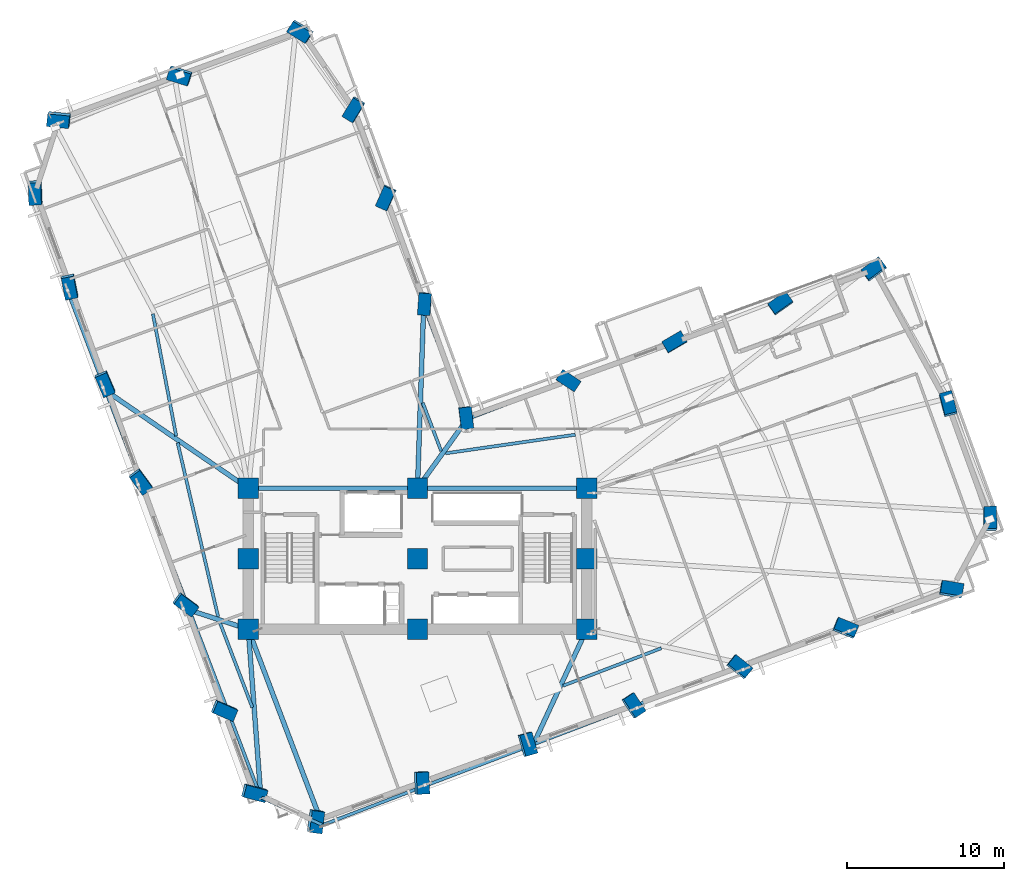
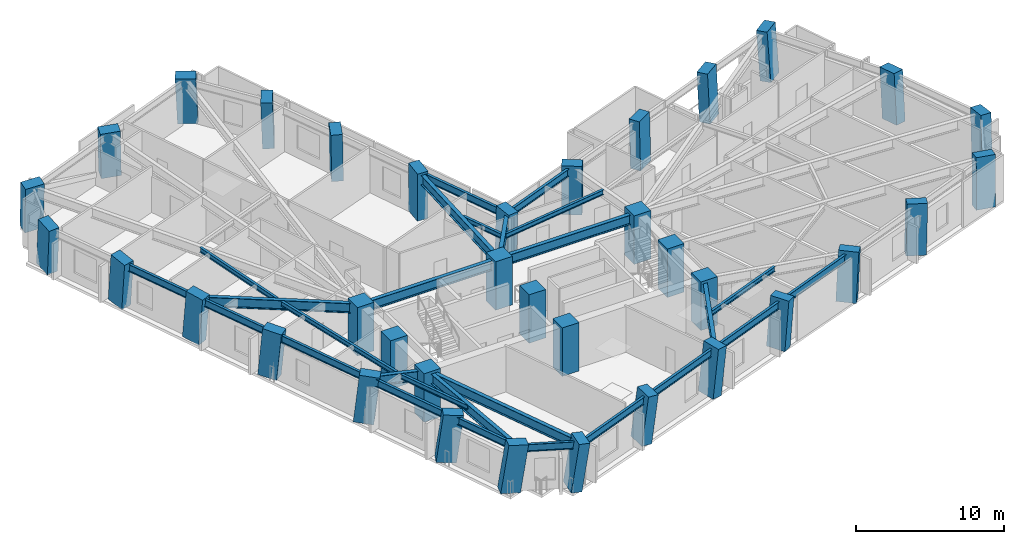
# One storey, part 1 of 17: 36 columns, 27 beams.
"""IFC4 building model written with IfcOpenShell, lengths in metres."""

from ifc_helpers import new_model, si_unit, direction, frame, origin, origin_2d, place, context, subcontext, project, spatial, rectangle, i_section, extrude, material, material_profile, profile_set, type_object, element, save


model = new_model("IFC4")

# Units and contexts
model_context = context("Model", 3, precision=1e-05, world=origin(), true_north=direction((0.0, 1.0)))
body_context = subcontext(model_context, "Body", "Model", "MODEL_VIEW")
ifc_project = project(units=[si_unit("LENGTHUNIT", "METRE"), si_unit("AREAUNIT", "SQUARE_METRE"), si_unit("VOLUMEUNIT", "CUBIC_METRE"), si_unit("PLANEANGLEUNIT", "RADIAN"), si_unit("MASSUNIT", "GRAM", prefix="KILO")], contexts=[model_context])

# Site, building, storey
site_placement = place(None, origin())
site = spatial("IfcSite", under=ifc_project, at=site_placement, CompositionType="ELEMENT")
building_placement = place(site_placement, origin())
building = spatial("IfcBuilding", under=site, at=building_placement, Name="Gaonmaruhae Medical Tower", CompositionType="ELEMENT")
storey_placement = place(building_placement, frame((0.0, 0.0, 108.39990234375)))
storey = spatial("IfcBuildingStorey", under=building, at=storey_placement, Name="L25", CompositionType="ELEMENT", Elevation=108.39990234375)

# Columns
ifc_material_1 = material(Name="Concrete C60/75", Category="concrete")
ifc_material_profile_1 = material_profile(ifc_material_1, rectangle(XDim=1.300048828125, YDim=1.300048828125, at=origin_2d()), Name="RC-1300x1300")
ifc_profile_set_1 = profile_set([ifc_material_profile_1], Name="Concrete C60/75")
column_type_1 = type_object("IfcColumnType", Name="CC-03 Zone 2 Core Column (RC-1300x1300)", PredefinedType="COLUMN", material=ifc_profile_set_1)
for number, where, z_axis, x_axis, name in (
    (1, (14.0, 7.800048828125, 0.0), (0.0, 0.0, 1.0), (1.0, 0.0, 0.0), "L25 Plumb Core Column CC11"),
    (2, (14.0, 12.300048828125, 0.0), (0.0, 0.0, 1.0), (1.0, 0.0, 0.0), "L25 Plumb Core Column CC12"),
    (3, (14.0, 16.800048828125, 0.0), (0.0, 0.0, 1.0), (1.0, 0.0, 0.0), "L25 Plumb Core Column CC13"),
    (4, (24.800048828125, 7.800048828125, 0.0), (0.0, 0.0, 1.0), (1.0, 0.0, 0.0), "L25 Plumb Core Column CC21"),
    (5, (24.800048828125, 12.300048828125, 0.0), (0.0, 0.0, 1.0), (1.0, 0.0, 0.0), "L25 Plumb Core Column CC22"),
    (6, (24.800048828125, 16.800048828125, 0.0), (0.0, 0.0, 1.0), (1.0, 0.0, 0.0), "L25 Plumb Core Column CC23"),
    (7, (35.60009765625, 7.800048828125, 0.0), (0.0, 0.0, 1.0), (1.0, 0.0, 0.0), "L25 Plumb Core Column CC31"),
    (8, (35.60009765625, 12.300048828125, 0.0), (0.0, 0.0, 1.0), (1.0, 0.0, 0.0), "L25 Plumb Core Column CC32"),
    (9, (35.60009765625, 16.800048828125, 0.0), (0.0, 0.0, 1.0), (1.0, 0.0, 0.0), "L25 Plumb Core Column CC33"),
):
    element("IfcColumn", number, at=place(storey_placement, frame(where, z_axis=z_axis, x_axis=x_axis)), inside=storey, type_object=column_type_1, Name=name, PredefinedType="COLUMN", context=body_context, shape_type="SweptSolid", body=[
        extrude(rectangle(XDim=1.300048828125, YDim=1.300048828125, at=origin_2d()), origin(), (0.0, 0.0, 1.0), 4.0),
    ])
ifc_material_profile_2 = material_profile(ifc_material_1, rectangle(XDim=1.39990234375, YDim=0.800048828125, at=origin_2d()), Name="RC-1400x800")
ifc_profile_set_2 = profile_set([ifc_material_profile_2], Name="Concrete C60/75")
column_type_2 = type_object("IfcColumnType", Name="TC-02 Mid Raking Tube Pier Column (RC-1400x800)", PredefinedType="COLUMN", material=ifc_profile_set_2)
column_1_placement = place(storey_placement, frame((18.256103515625, -4.440185546875, 0.001953125), z_axis=(0.120629174712, -0.062039590607, 0.990757130383), x_axis=(0.129293662985, 0.990525634289, 0.046283004754)))
element("IfcColumn", 10, at=column_1_placement, inside=storey, type_object=column_type_2, Name="L25 Perimeter Tube Column S01", PredefinedType="COLUMN", context=body_context, shape_type="SweptSolid", body=[
    extrude(rectangle(XDim=1.39990234375, YDim=0.800048828125, at=origin_2d()), origin(), (0.0, 0.0, 1.0), 4.03369140625),
])
column_2_placement = place(storey_placement, frame((25.024169921875, -1.9833984375, 0.001953125), z_axis=(0.110559283568, -0.034405660693, 0.993273826963), x_axis=(-0.04428823317, 0.998237312372, 0.039507222002)))
element("IfcColumn", 11, at=column_2_placement, inside=storey, type_object=column_type_2, Name="L25 Perimeter Tube Column S02", PredefinedType="COLUMN", context=body_context, shape_type="SweptSolid", body=[
    extrude(rectangle(XDim=1.39990234375, YDim=0.800048828125, at=origin_2d()), origin(), (0.0, 0.0, 1.0), 4.0234375),
])
column_3_placement = place(storey_placement, frame((31.7919921875, 0.47314453125, 0.001953125), z_axis=(0.100410199707, -0.006625128189, 0.994924067189), x_axis=(-0.276844928349, 0.960301010677, 0.034334451206)))
element("IfcColumn", 12, at=column_3_placement, inside=storey, type_object=column_type_2, Name="L25 Perimeter Tube Column S03", PredefinedType="COLUMN", context=body_context, shape_type="SweptSolid", body=[
    extrude(rectangle(XDim=1.39990234375, YDim=0.800048828125, at=origin_2d()), origin(), (0.0, 0.0, 1.0), 4.016845703125),
])
column_4_placement = place(storey_placement, frame((38.559814453125, 2.929931640625, 0.001953125), z_axis=(0.090087537586, 0.02122927118, 0.995707564306), x_axis=(-0.546282636137, 0.837005375033, 0.03157979768)))
element("IfcColumn", 13, at=column_4_placement, inside=storey, type_object=column_type_2, Name="L25 Perimeter Tube Column S04", PredefinedType="COLUMN", context=body_context, shape_type="SweptSolid", body=[
    extrude(rectangle(XDim=1.39990234375, YDim=0.800048828125, at=origin_2d()), origin(), (0.0, 0.0, 1.0), 4.013671875),
])
column_5_placement = place(storey_placement, frame((45.327880859375, 5.386474609375, 0.001953125), z_axis=(0.079678110457, 0.049084148961, 0.9956114428), x_axis=(-0.78224874538, 0.62214735669, 0.031930657927)))
element("IfcColumn", 14, at=column_5_placement, inside=storey, type_object=column_type_2, Name="L25 Perimeter Tube Column S05", PredefinedType="COLUMN", context=body_context, shape_type="SweptSolid", body=[
    extrude(rectangle(XDim=1.39990234375, YDim=0.800048828125, at=origin_2d()), origin(), (0.0, 0.0, 1.0), 4.013916015625),
])
column_6_placement = place(storey_placement, frame((52.095703125, 7.84326171875, 0.001953125), z_axis=(0.069270333832, 0.076805001722, 0.994636924994), x_axis=(-0.925321067949, 0.377538817765, 0.03528969099)))
element("IfcColumn", 15, at=column_6_placement, inside=storey, type_object=column_type_2, Name="L25 Perimeter Tube Column S06", PredefinedType="COLUMN", context=body_context, shape_type="SweptSolid", body=[
    extrude(rectangle(XDim=1.39990234375, YDim=0.800048828125, at=origin_2d()), origin(), (0.0, 0.0, 1.0), 4.017822265625),
])
column_7_placement = place(storey_placement, frame((58.863525390625, 10.300048828125, 0.001953125), z_axis=(0.058831075792, 0.104440322179, 0.992789566638), x_axis=(-0.985243313153, 0.166201162188, 0.040899725852)))
element("IfcColumn", 16, at=column_7_placement, inside=storey, type_object=column_type_2, Name="L25 Perimeter Tube Column S07", PredefinedType="COLUMN", context=body_context, shape_type="SweptSolid", body=[
    extrude(rectangle(XDim=1.39990234375, YDim=0.800048828125, at=origin_2d()), origin(), (0.0, 0.0, 1.0), 4.025390625),
])
column_8_placement = place(storey_placement, frame((61.322509765625, 14.8095703125, 0.001953125), z_axis=(0.04014383957, 0.114428134848, 0.992620105629), x_axis=(0.013083017685, -0.993395925555, 0.113988463181)))
element("IfcColumn", 17, at=column_8_placement, inside=storey, type_object=column_type_2, Name="L25 Perimeter Tube Column E01", PredefinedType="COLUMN", context=body_context, shape_type="SweptSolid", body=[
    extrude(rectangle(XDim=1.39990234375, YDim=0.800048828125, at=origin_2d()), origin(), (0.0, 0.0, 1.0), 4.026123046875),
])
column_9_placement = place(storey_placement, frame((58.6611328125, 22.141357421875, 0.001953125), z_axis=(0.010086228897, 0.103414226406, 0.994587233863), x_axis=(0.248836012635, -0.96360846528, 0.097669670096)))
element("IfcColumn", 18, at=column_9_placement, inside=storey, type_object=column_type_2, Name="L25 Perimeter Tube Column E02", PredefinedType="COLUMN", context=body_context, shape_type="SweptSolid", body=[
    extrude(rectangle(XDim=1.39990234375, YDim=0.800048828125, at=origin_2d()), origin(), (0.0, 0.0, 1.0), 4.01806640625),
])
column_10_placement = place(storey_placement, frame((53.94140625, 30.74755859375, 0.001953125), z_axis=(-0.025255510394, 0.083799609187, 0.996162529257), x_axis=(-0.801926584814, -0.596675766254, 0.029862728171)))
element("IfcColumn", 19, at=column_10_placement, inside=storey, type_object=column_type_2, Name="L25 Perimeter Tube Column E03", PredefinedType="COLUMN", context=body_context, shape_type="SweptSolid", body=[
    extrude(rectangle(XDim=1.39990234375, YDim=0.800048828125, at=origin_2d()), origin(), (0.0, 0.0, 1.0), 4.01171875),
])
column_11_placement = place(storey_placement, frame((47.972412109375, 28.580810546875, 0.001953125), z_axis=(-0.016097543439, 0.059329203661, 0.998108668777), x_axis=(-0.818013974793, -0.574815784114, 0.020975017936)))
element("IfcColumn", 20, at=column_11_placement, inside=storey, type_object=column_type_2, Name="L25 Perimeter Tube Column EN01", PredefinedType="COLUMN", context=body_context, shape_type="SweptSolid", body=[
    extrude(rectangle(XDim=1.39990234375, YDim=0.800048828125, at=origin_2d()), origin(), (0.0, 0.0, 1.0), 4.00390625),
])
column_12_placement = place(storey_placement, frame((41.20458984375, 26.124267578125, 0.001953125), z_axis=(-0.005739627582, 0.031445831967, 0.999488977592), x_axis=(-0.863479661457, -0.504265724422, 0.01090657706)))
element("IfcColumn", 21, at=column_12_placement, inside=storey, type_object=column_type_2, Name="L25 Perimeter Tube Column EN02", PredefinedType="COLUMN", context=body_context, shape_type="SweptSolid", body=[
    extrude(rectangle(XDim=1.39990234375, YDim=0.800048828125, at=origin_2d()), origin(), (0.0, 0.0, 1.0), 3.998291015625),
])
column_13_placement = place(storey_placement, frame((34.4365234375, 23.66748046875, 0.001953125), z_axis=(0.004703933122, 0.003482132311, 0.999982873737), x_axis=(-0.833505781838, 0.552507125823, 0.001996886739)))
element("IfcColumn", 22, at=column_13_placement, inside=storey, type_object=column_type_2, Name="L25 Perimeter Tube Column EN03", PredefinedType="COLUMN", context=body_context, shape_type="SweptSolid", body=[
    extrude(rectangle(XDim=1.39990234375, YDim=0.800048828125, at=origin_2d()), origin(), (0.0, 0.0, 1.0), 3.996337890625),
])
column_14_placement = place(storey_placement, frame((27.90380859375, 21.296142578125, 0.001953125), z_axis=(0.014717287158, -0.023511018904, 0.999615242705), x_axis=(-0.12160638873, 0.992260272307, 0.025128434512)))
element("IfcColumn", 23, at=column_14_placement, inside=storey, type_object=column_type_2, Name="L25 Perimeter Tube Column KN01", PredefinedType="COLUMN", context=body_context, shape_type="SweptSolid", body=[
    extrude(rectangle(XDim=1.39990234375, YDim=0.800048828125, at=origin_2d()), origin(), (0.0, 0.0, 1.0), 3.997802734375),
])
column_15_placement = place(storey_placement, frame((25.25927734375, 28.5810546875, 0.001953125), z_axis=(-0.015383873199, -0.034674761813, 0.999280239642), x_axis=(0.069047531169, 0.996975907814, 0.035657785661)))
element("IfcColumn", 24, at=column_15_placement, inside=storey, type_object=column_type_2, Name="L25 Perimeter Tube Column NE01", PredefinedType="COLUMN", context=body_context, shape_type="SweptSolid", body=[
    extrude(rectangle(XDim=1.39990234375, YDim=0.800048828125, at=origin_2d()), origin(), (0.0, 0.0, 1.0), 3.999267578125),
])
column_16_placement = place(storey_placement, frame((22.802734375, 35.348876953125, 0.001953125), z_axis=(-0.043290034921, -0.044997247566, 0.998048706521), x_axis=(0.404543332522, 0.912633441507, 0.058693215586)))
element("IfcColumn", 25, at=column_16_placement, inside=storey, type_object=column_type_2, Name="L25 Perimeter Tube Column NE02", PredefinedType="COLUMN", context=body_context, shape_type="SweptSolid", body=[
    extrude(rectangle(XDim=1.39990234375, YDim=0.800048828125, at=origin_2d()), origin(), (0.0, 0.0, 1.0), 4.004150390625),
])
column_17_placement = place(storey_placement, frame((20.75537109375, 40.98876953125, 0.001953125), z_axis=(-0.066407356828, -0.053564137497, 0.996353825773), x_axis=(0.51476755746, 0.853570569209, 0.080197538401)))
element("IfcColumn", 26, at=column_17_placement, inside=storey, type_object=column_type_2, Name="L25 Perimeter Tube Column NE03", PredefinedType="COLUMN", context=body_context, shape_type="SweptSolid", body=[
    extrude(rectangle(XDim=1.39990234375, YDim=0.800048828125, at=origin_2d()), origin(), (0.0, 0.0, 1.0), 4.010986328125),
])
column_18_placement = place(storey_placement, frame((17.349365234375, 45.97607421875, 0.001953125), z_axis=(-0.086708583507, -0.06770313068, 0.993930534616), x_axis=(0.845797030056, -0.532182759519, 0.037535242352)))
element("IfcColumn", 27, at=column_18_placement, inside=storey, type_object=column_type_2, Name="L25 Perimeter Tube Column N01", PredefinedType="COLUMN", context=body_context, shape_type="SweptSolid", body=[
    extrude(rectangle(XDim=1.39990234375, YDim=0.800048828125, at=origin_2d()), origin(), (0.0, 0.0, 1.0), 4.020751953125),
])
column_19_placement = place(storey_placement, frame((9.641357421875, 43.177978515625, 0.001953125), z_axis=(-0.074742693001, -0.099111356899, 0.992265321765), x_axis=(0.954352791846, -0.295663340244, 0.042354904456)))
element("IfcColumn", 28, at=column_19_placement, inside=storey, type_object=column_type_2, Name="L25 Perimeter Tube Column N02", PredefinedType="COLUMN", context=body_context, shape_type="SweptSolid", body=[
    extrude(rectangle(XDim=1.39990234375, YDim=0.800048828125, at=origin_2d()), origin(), (0.0, 0.0, 1.0), 4.027587890625),
])
column_20_placement = place(storey_placement, frame((1.93359375, 40.380126953125, 0.001953125), z_axis=(-0.062805391638, -0.130386169165, 0.989472045927), x_axis=(0.993375431247, -0.103763584455, 0.049379865685)))
element("IfcColumn", 29, at=column_20_placement, inside=storey, type_object=column_type_2, Name="L25 Perimeter Tube Column N03", PredefinedType="COLUMN", context=body_context, shape_type="SweptSolid", body=[
    extrude(rectangle(XDim=1.39990234375, YDim=0.800048828125, at=origin_2d()), origin(), (0.0, 0.0, 1.0), 4.038818359375),
])
column_21_placement = place(storey_placement, frame((0.42724609375, 35.737548828125, 0.001953125), z_axis=(-0.043713064568, -0.136459732683, 0.989680710806), x_axis=(-0.041134697553, 0.990033403025, 0.134691490274)))
element("IfcColumn", 30, at=column_21_placement, inside=storey, type_object=column_type_2, Name="L25 Perimeter Tube Column W01", PredefinedType="COLUMN", context=body_context, shape_type="SweptSolid", body=[
    extrude(rectangle(XDim=1.39990234375, YDim=0.800048828125, at=origin_2d()), origin(), (0.0, 0.0, 1.0), 4.0380859375),
])
column_22_placement = place(storey_placement, frame((2.611083984375, 29.7216796875, 0.001953125), z_axis=(-0.019204163449, -0.127522915018, 0.991649689281), x_axis=(-0.198586028496, 0.972557875578, 0.12122197795)))
element("IfcColumn", 31, at=column_22_placement, inside=storey, type_object=column_type_2, Name="L25 Perimeter Tube Column W02", PredefinedType="COLUMN", context=body_context, shape_type="SweptSolid", body=[
    extrude(rectangle(XDim=1.39990234375, YDim=0.800048828125, at=origin_2d()), origin(), (0.0, 0.0, 1.0), 4.030029296875),
])
column_23_placement = place(storey_placement, frame((4.863037109375, 23.517822265625, 0.001953125), z_axis=(0.006248125651, -0.11822909605, 0.992966687142), x_axis=(-0.389982649693, 0.914072325457, 0.111289338092)))
element("IfcColumn", 32, at=column_23_placement, inside=storey, type_object=column_type_2, Name="L25 Perimeter Tube Column W03", PredefinedType="COLUMN", context=body_context, shape_type="SweptSolid", body=[
    extrude(rectangle(XDim=1.39990234375, YDim=0.800048828125, at=origin_2d()), origin(), (0.0, 0.0, 1.0), 4.024658203125),
])
column_24_placement = place(storey_placement, frame((7.132080078125, 17.266845703125, 0.001953125), z_axis=(0.031926781496, -0.108769567377, 0.993554156469), x_axis=(-0.590424509034, 0.800027962606, 0.106555892281)))
element("IfcColumn", 33, at=column_24_placement, inside=storey, type_object=column_type_2, Name="L25 Perimeter Tube Column W04", PredefinedType="COLUMN", context=body_context, shape_type="SweptSolid", body=[
    extrude(rectangle(XDim=1.39990234375, YDim=0.800048828125, at=origin_2d()), origin(), (0.0, 0.0, 1.0), 4.022216796875),
])
column_25_placement = place(storey_placement, frame((9.98095703125, 9.41796875, 0.001953125), z_axis=(0.064136950794, -0.096721191642, 0.993242902129), x_axis=(-0.800334435141, 0.589545780228, 0.109089710528)))
element("IfcColumn", 34, at=column_25_placement, inside=storey, type_object=column_type_2, Name="L25 Perimeter Tube Column W05", PredefinedType="COLUMN", context=body_context, shape_type="SweptSolid", body=[
    extrude(rectangle(XDim=1.39990234375, YDim=0.800048828125, at=origin_2d()), origin(), (0.0, 0.0, 1.0), 4.0234375),
])
column_26_placement = place(storey_placement, frame((12.437744140625, 2.650146484375, 0.001953125), z_axis=(0.091815287954, -0.086300310262, 0.992029338955), x_axis=(-0.913149072062, 0.390037732824, 0.118445511376)))
element("IfcColumn", 35, at=column_26_placement, inside=storey, type_object=column_type_2, Name="L25 Perimeter Tube Column W06", PredefinedType="COLUMN", context=body_context, shape_type="SweptSolid", body=[
    extrude(rectangle(XDim=1.39990234375, YDim=0.800048828125, at=origin_2d()), origin(), (0.0, 0.0, 1.0), 4.028564453125),
])
column_27_placement = place(storey_placement, frame((14.348388671875, -2.614013671875, 0.001953125), z_axis=(0.113215492307, -0.078058784113, 0.990499408644), x_axis=(-0.960202118934, 0.247593477468, 0.129264692434)))
element("IfcColumn", 36, at=column_27_placement, inside=storey, type_object=column_type_2, Name="L25 Perimeter Tube Column W07", PredefinedType="COLUMN", context=body_context, shape_type="SweptSolid", body=[
    extrude(rectangle(XDim=1.39990234375, YDim=0.800048828125, at=origin_2d()), origin(), (0.0, 0.0, 1.0), 4.03466796875),
])

# Beams
ifc_material_2 = material(Name="Steel SM355", Category="steel")
ifc_material_profile_3 = material_profile(ifc_material_2, i_section(OverallWidth=0.199951171875, OverallDepth=0.39990234375, WebThickness=0.008056640625, FlangeThickness=0.012939453125, FilletRadius=0.012939453125, at=origin_2d()), Name="H-400x200x8x13")
ifc_profile_set_3 = profile_set([ifc_material_profile_3], Name="Steel SM355")
beam_type_1 = type_object("IfcBeamType", Name="FJ-01 Lower Zone Ward Floor Joist (H-400x200x8x13)", PredefinedType="JOIST", material=ifc_profile_set_3)
beam_1_placement = place(storey_placement, frame((34.10400390625, 4.2021484375, 3.580078125), z_axis=(0.934211542219, 0.356719489774, 0.0), x_axis=(-0.356719489774, 0.934211542219, 0.0)))
element("IfcBeam", 37, at=beam_1_placement, inside=storey, type_object=beam_type_1, Name="L25 Secondary Floor Joist FJ02", PredefinedType="JOIST", context=body_context, shape_type="SweptSolid", body=[
    extrude(i_section(OverallWidth=0.199951171875, OverallDepth=0.39990234375, WebThickness=0.008056640625, FlangeThickness=0.012939453125, FilletRadius=0.012939453125, at=origin_2d()), origin(), (0.0, 0.0, 1.0), 6.700439453125),
])
beam_2_placement = place(storey_placement, frame((34.873291015625, 20.218505859375, 3.580078125), z_axis=(-0.989880496718, -0.141903496139, 0.0), x_axis=(0.141903496139, -0.989880496718, 0.0)))
element("IfcBeam", 38, at=beam_2_placement, inside=storey, type_object=beam_type_1, Name="L25 Secondary Floor Joist FJ08", PredefinedType="JOIST", context=body_context, shape_type="SweptSolid", body=[
    extrude(i_section(OverallWidth=0.199951171875, OverallDepth=0.39990234375, WebThickness=0.008056640625, FlangeThickness=0.012939453125, FilletRadius=0.012939453125, at=origin_2d()), origin(), (0.0, 0.0, 1.0), 8.364990234375),
])
beam_3_placement = place(storey_placement, frame((26.31494140625, 19.174560546875, 3.580078125), z_axis=(-0.356700390569, 0.934218834839, 0.0), x_axis=(-0.934218834839, -0.356700390569, 0.0)))
element("IfcBeam", 39, at=beam_3_placement, inside=storey, type_object=beam_type_1, Name="L25 Secondary Floor Joist FJ09", PredefinedType="JOIST", context=body_context, shape_type="SweptSolid", body=[
    extrude(i_section(OverallWidth=0.199951171875, OverallDepth=0.39990234375, WebThickness=0.008056640625, FlangeThickness=0.012939453125, FilletRadius=0.012939453125, at=origin_2d()), origin(), (0.0, 0.0, 1.0), 3.296875),
])
beam_4_placement = place(storey_placement, frame((7.9150390625, 27.93310546875, 3.580078125), z_axis=(0.187461186309, -0.982272011017, 0.0), x_axis=(0.982272011017, 0.187461186309, 0.0)))
element("IfcBeam", 40, at=beam_4_placement, inside=storey, type_object=beam_type_1, Name="L25 Secondary Floor Joist FJ13", PredefinedType="JOIST", context=body_context, shape_type="SweptSolid", body=[
    extrude(i_section(OverallWidth=0.199951171875, OverallDepth=0.39990234375, WebThickness=0.008056640625, FlangeThickness=0.012939453125, FilletRadius=0.012939453125, at=origin_2d()), origin(), (0.0, 0.0, 1.0), 7.937744140625),
])
beam_5_placement = place(storey_placement, frame((9.49560546875, 19.69873046875, 3.580078125), z_axis=(0.226494602145, -0.974012420454, 0.0), x_axis=(0.974012420454, 0.226494602145, 0.0)))
element("IfcBeam", 41, at=beam_5_placement, inside=storey, type_object=beam_type_1, Name="L25 Secondary Floor Joist FJ14", PredefinedType="JOIST", context=body_context, shape_type="SweptSolid", body=[
    extrude(i_section(OverallWidth=0.199951171875, OverallDepth=0.39990234375, WebThickness=0.008056640625, FlangeThickness=0.012939453125, FilletRadius=0.012939453125, at=origin_2d()), origin(), (0.0, 0.0, 1.0), 11.404296875),
])
beam_6_placement = place(storey_placement, frame((12.190673828125, 8.228515625, 3.580078125), z_axis=(0.356721603122, -0.934210735255, 0.0), x_axis=(0.934210735255, 0.356721603122, 0.0)))
element("IfcBeam", 42, at=beam_6_placement, inside=storey, type_object=beam_type_1, Name="L25 Secondary Floor Joist FJ15", PredefinedType="JOIST", context=body_context, shape_type="SweptSolid", body=[
    extrude(i_section(OverallWidth=0.199951171875, OverallDepth=0.39990234375, WebThickness=0.008056640625, FlangeThickness=0.012939453125, FilletRadius=0.012939453125, at=origin_2d()), origin(), (0.0, 0.0, 1.0), 5.80029296875),
])
ifc_material_3 = material(Name="Steel SM420", Category="steel")
ifc_material_profile_4 = material_profile(ifc_material_3, i_section(OverallWidth=0.300048828125, OverallDepth=0.800048828125, WebThickness=0.013916015625, FlangeThickness=0.02587890625, FilletRadius=0.01806640625, at=origin_2d()), Name="H-800x300x14x26")
ifc_profile_set_4 = profile_set([ifc_material_profile_4], Name="Steel SM420")
beam_type_2 = type_object("IfcBeamType", Name="PG-02 Zone 2 Radial Floor Girder (H-800x300x14x26)", PredefinedType="BEAM", material=ifc_profile_set_4)
for number, where, z_axis, x_axis, name in (
    (43, (14.050048828125, 16.800048828125, 3.380126953125), (1.0, 0.0, 0.0), (0.0, 1.0, 0.0), "L25 Beam BM-L25-CG-N1"),
    (44, (24.85009765625, 16.800048828125, 3.380126953125), (1.0, 0.0, 0.0), (0.0, 1.0, 0.0), "L25 Beam BM-L25-CG-N2"),
):
    element("IfcBeam", number, at=place(storey_placement, frame(where, z_axis=z_axis, x_axis=x_axis)), inside=storey, type_object=beam_type_2, Name=name, PredefinedType="BEAM", context=body_context, shape_type="SweptSolid", body=[
        extrude(i_section(OverallWidth=0.300048828125, OverallDepth=0.800048828125, WebThickness=0.013916015625, FlangeThickness=0.02587890625, FilletRadius=0.01806640625, at=origin_2d()), origin(), (0.0, 0.0, 1.0), 10.699951171875),
    ])
beam_7_placement = place(storey_placement, frame((14.017822265625, 7.753173828125, 3.380126953125), z_axis=(0.354982222578, -0.93487305109, 0.0), x_axis=(0.93487305109, 0.354982222578, 0.0)))
element("IfcBeam", 45, at=beam_7_placement, inside=storey, type_object=beam_type_2, Name="L25 Radial Primary Girder S01", PredefinedType="BEAM", context=body_context, shape_type="SweptSolid", body=[
    extrude(i_section(OverallWidth=0.300048828125, OverallDepth=0.800048828125, WebThickness=0.013916015625, FlangeThickness=0.02587890625, FilletRadius=0.01806640625, at=origin_2d()), origin(), (0.0, 0.0, 1.0), 13.260498046875),
])
beam_8_placement = place(storey_placement, frame((35.5791015625, 7.754638671875, 3.380126953125), z_axis=(-0.420168225903, -0.907446230882, 0.0), x_axis=(0.907446230882, -0.420168225903, 0.0)))
element("IfcBeam", 46, at=beam_8_placement, inside=storey, type_object=beam_type_2, Name="L25 Radial Primary Girder S03", PredefinedType="BEAM", context=body_context, shape_type="SweptSolid", body=[
    extrude(i_section(OverallWidth=0.300048828125, OverallDepth=0.800048828125, WebThickness=0.013916015625, FlangeThickness=0.02587890625, FilletRadius=0.01806640625, at=origin_2d()), origin(), (0.0, 0.0, 1.0), 8.00341796875),
])
beam_9_placement = place(storey_placement, frame((24.8291015625, 16.840576171875, 3.380126953125), z_axis=(0.583449767541, 0.812149228133, 0.0), x_axis=(-0.812149228133, 0.583449767541, 0.0)))
element("IfcBeam", 47, at=beam_9_placement, inside=storey, type_object=beam_type_2, Name="L25 Radial Primary Girder KN01", PredefinedType="BEAM", context=body_context, shape_type="SweptSolid", body=[
    extrude(i_section(OverallWidth=0.300048828125, OverallDepth=0.800048828125, WebThickness=0.013916015625, FlangeThickness=0.02587890625, FilletRadius=0.01806640625, at=origin_2d()), origin(), (0.0, 0.0, 1.0), 5.320556640625),
])
beam_10_placement = place(storey_placement, frame((24.8017578125, 16.849853515625, 3.380126953125), z_axis=(0.034139738711, 0.999417069216, 0.0), x_axis=(-0.999417069216, 0.034139738711, 0.0)))
element("IfcBeam", 48, at=beam_10_placement, inside=storey, type_object=beam_type_2, Name="L25 Radial Primary Girder NE01", PredefinedType="BEAM", context=body_context, shape_type="SweptSolid", body=[
    extrude(i_section(OverallWidth=0.300048828125, OverallDepth=0.800048828125, WebThickness=0.013916015625, FlangeThickness=0.02587890625, FilletRadius=0.01806640625, at=origin_2d()), origin(), (0.0, 0.0, 1.0), 11.54931640625),
])
beam_11_placement = place(storey_placement, frame((13.958740234375, 16.828369140625, 3.380126953125), z_axis=(-0.825004018964, 0.565126860708, 0.0), x_axis=(-0.565126860708, -0.825004018964, 0.0)))
element("IfcBeam", 49, at=beam_11_placement, inside=storey, type_object=beam_type_2, Name="L25 Radial Primary Girder W03", PredefinedType="BEAM", context=body_context, shape_type="SweptSolid", body=[
    extrude(i_section(OverallWidth=0.300048828125, OverallDepth=0.800048828125, WebThickness=0.013916015625, FlangeThickness=0.02587890625, FilletRadius=0.01806640625, at=origin_2d()), origin(), (0.0, 0.0, 1.0), 10.944580078125),
])
beam_12_placement = place(storey_placement, frame((13.952392578125, 7.8154296875, 3.380126953125), z_axis=(-0.950546731488, 0.310581569409, 0.0), x_axis=(-0.310581569409, -0.950546731488, 0.0)))
element("IfcBeam", 50, at=beam_12_placement, inside=storey, type_object=beam_type_2, Name="L25 Radial Primary Girder W05", PredefinedType="BEAM", context=body_context, shape_type="SweptSolid", body=[
    extrude(i_section(OverallWidth=0.300048828125, OverallDepth=0.800048828125, WebThickness=0.013916015625, FlangeThickness=0.02587890625, FilletRadius=0.01806640625, at=origin_2d()), origin(), (0.0, 0.0, 1.0), 3.8564453125),
])
beam_13_placement = place(storey_placement, frame((14.003662109375, 7.750244140625, 3.380126953125), z_axis=(0.074871369819, -0.997193199927, 0.0), x_axis=(0.997193199927, 0.074871369819, 0.0)))
element("IfcBeam", 51, at=beam_13_placement, inside=storey, type_object=beam_type_2, Name="L25 Radial Primary Girder W07", PredefinedType="BEAM", context=body_context, shape_type="SweptSolid", body=[
    extrude(i_section(OverallWidth=0.300048828125, OverallDepth=0.800048828125, WebThickness=0.013916015625, FlangeThickness=0.02587890625, FilletRadius=0.01806640625, at=origin_2d()), origin(), (0.0, 0.0, 1.0), 10.65966796875),
])
ifc_material_profile_5 = material_profile(ifc_material_2, i_section(OverallWidth=0.199951171875, OverallDepth=0.60009765625, WebThickness=0.010986328125, FlangeThickness=0.01708984375, FilletRadius=0.012939453125, at=origin_2d()), Name="H-600x200x11x17")
ifc_profile_set_5 = profile_set([ifc_material_profile_5], Name="Steel SM355")
beam_type_3 = type_object("IfcBeamType", Name="SP-01 Lower Perimeter Spandrel Beam (H-600x200x11x17)", PredefinedType="SPANDREL", material=ifc_profile_set_5)
for number, where, z_axis, x_axis, name in (
    (52, (18.7802734375, -4.67626953125, 3.47998046875), (0.934198439894, 0.356753801522, 0.0), (-0.356753801522, 0.934198439894, 0.0), "L25 Perimeter Spandrel Beam S01-S02"),
    (53, (25.506591796875, -2.107666015625, 3.47998046875), (0.934198439894, 0.356753801522, 0.0), (-0.356753801522, 0.934198439894, 0.0), "L25 Perimeter Spandrel Beam S02-S03"),
):
    element("IfcBeam", number, at=place(storey_placement, frame(where, z_axis=z_axis, x_axis=x_axis)), inside=storey, type_object=beam_type_3, Name=name, PredefinedType="SPANDREL", context=body_context, shape_type="SweptSolid", body=[
        extrude(i_section(OverallWidth=0.199951171875, OverallDepth=0.60009765625, WebThickness=0.010986328125, FlangeThickness=0.01708984375, FilletRadius=0.012939453125, at=origin_2d()), origin(), (0.0, 0.0, 1.0), 7.119873046875),
    ])
for number, where, z_axis, x_axis, name in (
    (54, (32.232666015625, 0.4609375, 3.47998046875), (0.934214231026, 0.356712447986, 0.0), (-0.356712447986, 0.934214231026, 0.0), "L25 Perimeter Spandrel Beam S03-S04"),
    (55, (38.958984375, 3.029296875, 3.47998046875), (0.934202803892, 0.356742373709, 0.0), (-0.356742373709, 0.934202803892, 0.0), "L25 Perimeter Spandrel Beam S04-S05"),
):
    element("IfcBeam", number, at=place(storey_placement, frame(where, z_axis=z_axis, x_axis=x_axis)), inside=storey, type_object=beam_type_3, Name=name, PredefinedType="SPANDREL", context=body_context, shape_type="SweptSolid", body=[
        extrude(i_section(OverallWidth=0.199951171875, OverallDepth=0.60009765625, WebThickness=0.010986328125, FlangeThickness=0.01708984375, FilletRadius=0.012939453125, at=origin_2d()), origin(), (0.0, 0.0, 1.0), 7.1201171875),
    ])
beam_14_placement = place(storey_placement, frame((34.41796875, 23.667236328125, 3.47998046875), z_axis=(-0.934209342584, -0.356725250337, 0.0), x_axis=(0.356725250337, -0.934209342584, 0.0)))
element("IfcBeam", 56, at=beam_14_placement, inside=storey, type_object=beam_type_3, Name="L25 Perimeter Spandrel Beam EN03-KN01", PredefinedType="SPANDREL", context=body_context, shape_type="SweptSolid", body=[
    extrude(i_section(OverallWidth=0.199951171875, OverallDepth=0.60009765625, WebThickness=0.010986328125, FlangeThickness=0.01708984375, FilletRadius=0.012939453125, at=origin_2d()), origin(), (0.0, 0.0, 1.0), 6.869873046875),
])
beam_15_placement = place(storey_placement, frame((27.9482421875, 21.239501953125, 3.47998046875), z_axis=(-0.356729851514, 0.934207585625, 0.0), x_axis=(-0.934207585625, -0.356729851514, 0.0)))
element("IfcBeam", 57, at=beam_15_placement, inside=storey, type_object=beam_type_3, Name="L25 Perimeter Spandrel Beam KN01-NE01", PredefinedType="SPANDREL", context=body_context, shape_type="SweptSolid", body=[
    extrude(i_section(OverallWidth=0.199951171875, OverallDepth=0.60009765625, WebThickness=0.010986328125, FlangeThickness=0.01708984375, FilletRadius=0.012939453125, at=origin_2d()), origin(), (0.0, 0.0, 1.0), 7.669921875),
])
beam_16_placement = place(storey_placement, frame((2.5478515625, 29.170166015625, 3.47998046875), z_axis=(0.356734839904, -0.934205680778, 0.0), x_axis=(0.934205680778, 0.356734839904, 0.0)))
element("IfcBeam", 58, at=beam_16_placement, inside=storey, type_object=beam_type_3, Name="L25 Perimeter Spandrel Beam W02-W03", PredefinedType="SPANDREL", context=body_context, shape_type="SweptSolid", body=[
    extrude(i_section(OverallWidth=0.199951171875, OverallDepth=0.60009765625, WebThickness=0.010986328125, FlangeThickness=0.01708984375, FilletRadius=0.012939453125, at=origin_2d()), origin(), (0.0, 0.0, 1.0), 6.52001953125),
])
beam_17_placement = place(storey_placement, frame((4.90234375, 23.00439453125, 3.47998046875), z_axis=(0.356736945736, -0.934204876645, 0.0), x_axis=(0.934204876645, 0.356736945736, 0.0)))
element("IfcBeam", 59, at=beam_17_placement, inside=storey, type_object=beam_type_3, Name="L25 Perimeter Spandrel Beam W03-W04", PredefinedType="SPANDREL", context=body_context, shape_type="SweptSolid", body=[
    extrude(i_section(OverallWidth=0.199951171875, OverallDepth=0.60009765625, WebThickness=0.010986328125, FlangeThickness=0.01708984375, FilletRadius=0.012939453125, at=origin_2d()), origin(), (0.0, 0.0, 1.0), 6.570068359375),
])
beam_18_placement = place(storey_placement, frame((7.274658203125, 16.7919921875, 3.47998046875), z_axis=(0.356726861567, -0.934208727339, 0.0), x_axis=(0.934208727339, 0.356726861567, 0.0)))
element("IfcBeam", 60, at=beam_18_placement, inside=storey, type_object=beam_type_3, Name="L25 Perimeter Spandrel Beam W04-W05", PredefinedType="SPANDREL", context=body_context, shape_type="SweptSolid", body=[
    extrude(i_section(OverallWidth=0.199951171875, OverallDepth=0.60009765625, WebThickness=0.010986328125, FlangeThickness=0.01708984375, FilletRadius=0.012939453125, at=origin_2d()), origin(), (0.0, 0.0, 1.0), 8.270263671875),
])
beam_19_placement = place(storey_placement, frame((10.25341796875, 8.9912109375, 3.47998046875), z_axis=(0.356753801522, -0.934198439894, 0.0), x_axis=(0.934198439894, 0.356753801522, 0.0)))
element("IfcBeam", 61, at=beam_19_placement, inside=storey, type_object=beam_type_3, Name="L25 Perimeter Spandrel Beam W05-W06", PredefinedType="SPANDREL", context=body_context, shape_type="SweptSolid", body=[
    extrude(i_section(OverallWidth=0.199951171875, OverallDepth=0.60009765625, WebThickness=0.010986328125, FlangeThickness=0.01708984375, FilletRadius=0.012939453125, at=origin_2d()), origin(), (0.0, 0.0, 1.0), 7.119873046875),
])
beam_20_placement = place(storey_placement, frame((12.822021484375, 2.264892578125, 3.47998046875), z_axis=(0.356749290387, -0.934200162603, 0.0), x_axis=(0.934200162603, 0.356749290387, 0.0)))
element("IfcBeam", 62, at=beam_20_placement, inside=storey, type_object=beam_type_3, Name="L25 Perimeter Spandrel Beam W06-W07", PredefinedType="SPANDREL", context=body_context, shape_type="SweptSolid", body=[
    extrude(i_section(OverallWidth=0.199951171875, OverallDepth=0.60009765625, WebThickness=0.010986328125, FlangeThickness=0.01708984375, FilletRadius=0.012939453125, at=origin_2d()), origin(), (0.0, 0.0, 1.0), 5.52001953125),
])
beam_21_placement = place(storey_placement, frame((14.842041015625, -2.945556640625, 3.47998046875), z_axis=(0.912838617467, -0.408320533969, 0.0), x_axis=(0.408320533969, 0.912838617467, 0.0)))
element("IfcBeam", 63, at=beam_21_placement, inside=storey, type_object=beam_type_3, Name="L25 Perimeter Spandrel Beam W07-S01", PredefinedType="SPANDREL", context=body_context, shape_type="SweptSolid", body=[
    extrude(i_section(OverallWidth=0.199951171875, OverallDepth=0.60009765625, WebThickness=0.010986328125, FlangeThickness=0.01708984375, FilletRadius=0.012939453125, at=origin_2d()), origin(), (0.0, 0.0, 1.0), 4.233154296875),
])

save(model, "model.ifc")
